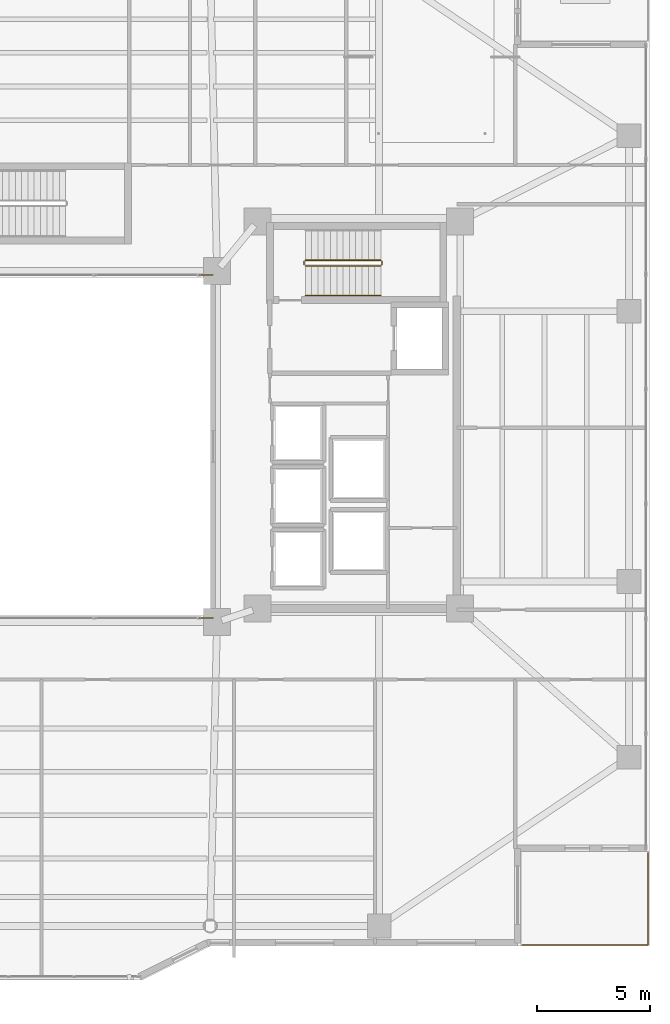
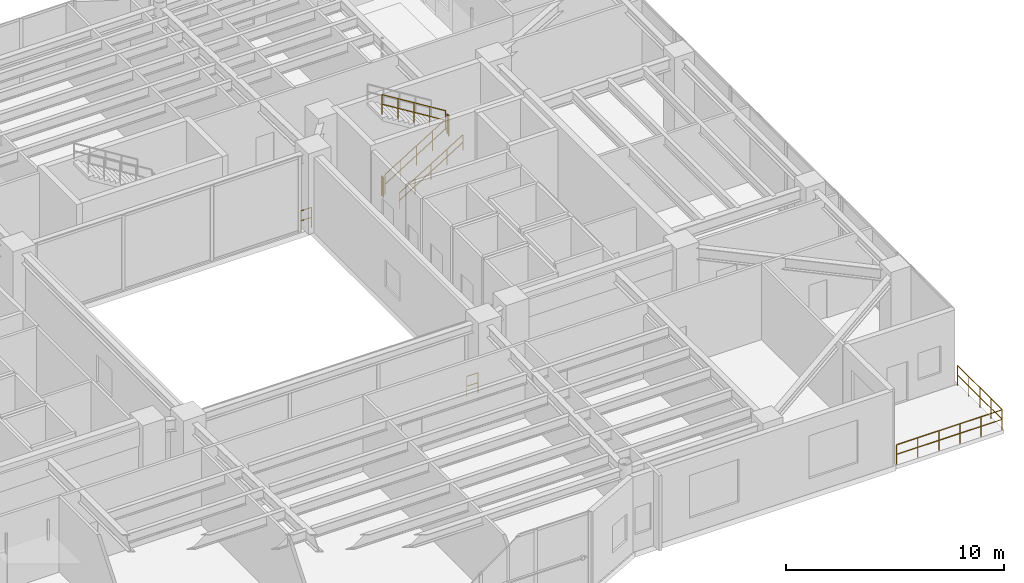
# One storey, part 36 of 38: 9 railings.
"""IFC4 building model written with IfcOpenShell, lengths in metres."""

from ifc_helpers import new_model, si_unit, direction, frame, origin, origin_2d, place, context, subcontext, project, spatial, circle, extrude, material, type_object, element, save


model = new_model("IFC4")

# Units and contexts
model_context = context("Model", 3, precision=1e-05, world=origin(), true_north=direction((0.0, 1.0)))
body_context = subcontext(model_context, "Body", "Model", "MODEL_VIEW")
ifc_project = project(units=[si_unit("LENGTHUNIT", "METRE"), si_unit("AREAUNIT", "SQUARE_METRE"), si_unit("VOLUMEUNIT", "CUBIC_METRE"), si_unit("PLANEANGLEUNIT", "RADIAN"), si_unit("MASSUNIT", "GRAM", prefix="KILO")], contexts=[model_context])

# Site, building, storey
site_placement = place(None, origin())
site = spatial("IfcSite", under=ifc_project, at=site_placement, CompositionType="ELEMENT")
building_placement = place(site_placement, origin())
building = spatial("IfcBuilding", under=site, at=building_placement, Name="Tarnavaz Court Tower", CompositionType="ELEMENT")
storey_placement = place(building_placement, frame((0.0, 0.0, 123.0)))
storey = spatial("IfcBuildingStorey", under=building, at=storey_placement, Name="L33", CompositionType="ELEMENT", Elevation=123.0)

# Railings
ifc_material_1 = material(Name="Anodised Aluminium 6063-T6 and Laminated Safety Glass", Category="aluminium")
railing_type_1 = type_object("IfcRailingType", Name="RL-BAL-1120", PredefinedType="BALUSTRADE", material=ifc_material_1)
railing_1_placement = place(storey_placement, frame((7.02001953125, -7.6201171875, 0.0)))
element("IfcRailing", 1, at=railing_1_placement, inside=storey, type_object=railing_type_1, Name="L33 Courtyard Corner Balustrade S-B", PredefinedType="BALUSTRADE", context=body_context, shape_type="SweptSolid", body=[
    extrude(circle(Radius=0.02392578125, at=origin_2d()), frame((0.0, 0.0, 1.1259765625), z_axis=(1.0, 0.0, 0.0), x_axis=(0.0, 1.0, 0.0)), (0.0, 0.0, 1.0), 0.60009765625),
    extrude(circle(Radius=0.02392578125, at=origin_2d()), frame((0.0, 0.0, 0.574951171875), z_axis=(1.0, 0.0, 0.0), x_axis=(0.0, 1.0, 0.0)), (0.0, 0.0, 1.0), 0.60009765625),
    extrude(circle(Radius=0.02099609375, at=origin_2d()), origin(), (0.0, 0.0, 1.0), 1.101806640625),
    extrude(circle(Radius=0.02099609375, at=origin_2d()), frame((0.60009765625, 0.0, 0.0)), (0.0, 0.0, 1.0), 1.101806640625),
])
railing_2_placement = place(storey_placement, frame((7.6201171875, 7.6201171875, 0.0)))
element("IfcRailing", 2, at=railing_2_placement, inside=storey, type_object=railing_type_1, Name="L33 Courtyard Corner Balustrade N-A", PredefinedType="BALUSTRADE", context=body_context, shape_type="SweptSolid", body=[
    extrude(circle(Radius=0.02392578125, at=origin_2d()), frame((0.0, 0.0, 1.1259765625), z_axis=(-1.0, 0.0, 0.0), x_axis=(0.0, -1.0, 0.0)), (0.0, 0.0, 1.0), 0.60009765625),
    extrude(circle(Radius=0.02392578125, at=origin_2d()), frame((0.0, 0.0, 0.574951171875), z_axis=(-1.0, 0.0, 0.0), x_axis=(0.0, -1.0, 0.0)), (0.0, 0.0, 1.0), 0.60009765625),
    extrude(circle(Radius=0.02099609375, at=origin_2d()), origin(), (0.0, 0.0, 1.0), 1.101806640625),
    extrude(circle(Radius=0.02099609375, at=origin_2d()), frame((-0.60009765625, 0.0, 0.0)), (0.0, 0.0, 1.0), 1.101806640625),
])
railing_3_placement = place(storey_placement, frame((21.360107421875, -22.139892578125, 0.0)))
element("IfcRailing", 3, at=railing_3_placement, inside=storey, type_object=railing_type_1, Name="L33 Terrace 3 S Perimeter Balustrade", PredefinedType="BALUSTRADE", context=body_context, shape_type="SweptSolid", body=[
    extrude(circle(Radius=0.02392578125, at=origin_2d()), frame((0.0, 0.0, 1.09619140625), z_axis=(1.0, 0.0, 0.0), x_axis=(0.0, 1.0, 0.0)), (0.0, 0.0, 1.0), 5.579833984375),
    extrude(circle(Radius=0.02392578125, at=origin_2d()), frame((0.0, 0.0, 0.56005859375), z_axis=(1.0, 0.0, 0.0), x_axis=(0.0, 1.0, 0.0)), (0.0, 0.0, 1.0), 5.579833984375),
    extrude(circle(Radius=0.02099609375, at=origin_2d()), origin(), (0.0, 0.0, 1.0), 1.072021484375),
    extrude(circle(Radius=0.02099609375, at=origin_2d()), frame((1.115966796875, 0.0, 0.0)), (0.0, 0.0, 1.0), 1.072021484375),
    extrude(circle(Radius=0.02099609375, at=origin_2d()), frame((2.23193359375, 0.0, 0.0)), (0.0, 0.0, 1.0), 1.072021484375),
    extrude(circle(Radius=0.02099609375, at=origin_2d()), frame((3.347900390625, 0.0, 0.0)), (0.0, 0.0, 1.0), 1.072021484375),
    extrude(circle(Radius=0.02099609375, at=origin_2d()), frame((4.4638671875, 0.0, 0.0)), (0.0, 0.0, 1.0), 1.072021484375),
    extrude(circle(Radius=0.02099609375, at=origin_2d()), frame((5.579833984375, 0.0, 0.0)), (0.0, 0.0, 1.0), 1.072021484375),
])
railing_4_placement = place(storey_placement, frame((26.93994140625, -22.139892578125, 0.0)))
element("IfcRailing", 4, at=railing_4_placement, inside=storey, type_object=railing_type_1, Name="L33 Terrace 3 E Perimeter Balustrade", PredefinedType="BALUSTRADE", context=body_context, shape_type="SweptSolid", body=[
    extrude(circle(Radius=0.02392578125, at=origin_2d()), frame((0.0, 0.0, 1.09619140625), z_axis=(0.0, 1.0, 0.0), x_axis=(-1.0, 0.0, 0.0)), (0.0, 0.0, 1.0), 4.079833984375),
    extrude(circle(Radius=0.02392578125, at=origin_2d()), frame((0.0, 0.0, 0.56005859375), z_axis=(0.0, 1.0, 0.0), x_axis=(-1.0, 0.0, 0.0)), (0.0, 0.0, 1.0), 4.079833984375),
    extrude(circle(Radius=0.02099609375, at=origin_2d()), origin(), (0.0, 0.0, 1.0), 1.072021484375),
    extrude(circle(Radius=0.02099609375, at=origin_2d()), frame((0.0, 1.02001953125, 0.0)), (0.0, 0.0, 1.0), 1.072021484375),
    extrude(circle(Radius=0.02099609375, at=origin_2d()), frame((0.0, 2.0400390625, 0.0)), (0.0, 0.0, 1.0), 1.072021484375),
    extrude(circle(Radius=0.02099609375, at=origin_2d()), frame((0.0, 3.059814453125, 0.0)), (0.0, 0.0, 1.0), 1.072021484375),
    extrude(circle(Radius=0.02099609375, at=origin_2d()), frame((0.0, 4.079833984375, 0.0)), (0.0, 0.0, 1.0), 1.072021484375),
])
ifc_material_2 = material(Name="Brushed Stainless Steel", Category="steel")
railing_type_2 = type_object("IfcRailingType", Name="RL-HANDRAIL-900", PredefinedType="HANDRAIL", material=ifc_material_2)
railing_5_placement = place(storey_placement, frame((11.719970703125, 6.699951171875, 0.173095703125)))
element("IfcRailing", 5, at=railing_5_placement, inside=storey, type_object=railing_type_2, Name="L33 ST-E1 stair handrail 1", PredefinedType="HANDRAIL", context=body_context, shape_type="SweptSolid", body=[
    extrude(circle(Radius=0.02392578125, at=origin_2d()), frame((0.0, 0.0, 0.8759765625), z_axis=(0.850623216509, 0.0, 0.525775754039), x_axis=(0.0, 1.0, 0.0)), (0.0, 0.0, 1.0), 3.9501953125),
    extrude(circle(Radius=0.02392578125, at=origin_2d()), frame((0.0, 0.0, 0.449951171875), z_axis=(0.850623216509, 0.0, 0.525775754039), x_axis=(0.0, 1.0, 0.0)), (0.0, 0.0, 1.0), 3.9501953125),
    extrude(circle(Radius=0.02099609375, at=origin_2d()), origin(), (0.0, 0.0, 1.0), 0.851806640625),
    extrude(circle(Radius=0.02099609375, at=origin_2d()), frame((0.840087890625, 0.0, 0.519287109375)), (0.0, 0.0, 1.0), 0.851806640625),
    extrude(circle(Radius=0.02099609375, at=origin_2d()), frame((1.68017578125, 0.0, 1.03857421875)), (0.0, 0.0, 1.0), 0.851806640625),
    extrude(circle(Radius=0.02099609375, at=origin_2d()), frame((2.52001953125, 0.0, 1.5576171875)), (0.0, 0.0, 1.0), 0.851806640625),
    extrude(circle(Radius=0.02099609375, at=origin_2d()), frame((3.360107421875, 0.0, 2.076904296875)), (0.0, 0.0, 1.0), 0.851806640625),
])
ifc_material_3 = material(Name="Galvanized Painted Tubular Steel", Category="steel")
railing_type_3 = type_object("IfcRailingType", Name="RL-STGUARD-1120", PredefinedType="GUARDRAIL", material=ifc_material_3)
railing_6_placement = place(storey_placement, frame((11.719970703125, 8.02001953125, 0.173095703125)))
element("IfcRailing", 6, at=railing_6_placement, inside=storey, type_object=railing_type_3, Name="L33 ST-E1 stair guard 1", PredefinedType="GUARDRAIL", context=body_context, shape_type="SweptSolid", body=[
    extrude(circle(Radius=0.02392578125, at=origin_2d()), frame((0.0, 0.0, 1.09619140625), z_axis=(0.850623216509, 0.0, 0.525775754039), x_axis=(0.0, 1.0, 0.0)), (0.0, 0.0, 1.0), 3.9501953125),
    extrude(circle(Radius=0.02392578125, at=origin_2d()), frame((0.0, 0.0, 0.56005859375), z_axis=(0.850623216509, 0.0, 0.525775754039), x_axis=(0.0, 1.0, 0.0)), (0.0, 0.0, 1.0), 3.9501953125),
    extrude(circle(Radius=0.02099609375, at=origin_2d()), origin(), (0.0, 0.0, 1.0), 1.072021484375),
    extrude(circle(Radius=0.02099609375, at=origin_2d()), frame((0.840087890625, 0.0, 0.519287109375)), (0.0, 0.0, 1.0), 1.072021484375),
    extrude(circle(Radius=0.02099609375, at=origin_2d()), frame((1.68017578125, 0.0, 1.03857421875)), (0.0, 0.0, 1.0), 1.072021484375),
    extrude(circle(Radius=0.02099609375, at=origin_2d()), frame((2.52001953125, 0.0, 1.5576171875)), (0.0, 0.0, 1.0), 1.072021484375),
    extrude(circle(Radius=0.02099609375, at=origin_2d()), frame((3.360107421875, 0.0, 2.076904296875)), (0.0, 0.0, 1.0), 1.072021484375),
])
railing_7_placement = place(storey_placement, frame((15.1298828125, 8.070068359375, 2.25)))
element("IfcRailing", 7, at=railing_7_placement, inside=storey, type_object=railing_type_3, Name="L33 ST-E1 stair guard 2", PredefinedType="GUARDRAIL", context=body_context, shape_type="SweptSolid", body=[
    extrude(circle(Radius=0.02392578125, at=origin_2d()), frame((0.0, 0.0, 1.09619140625), z_axis=(0.0, 1.0, 0.0), x_axis=(-1.0, 0.0, 0.0)), (0.0, 0.0, 1.0), 0.14990234375),
    extrude(circle(Radius=0.02392578125, at=origin_2d()), frame((0.0, 0.0, 0.56005859375), z_axis=(0.0, 1.0, 0.0), x_axis=(-1.0, 0.0, 0.0)), (0.0, 0.0, 1.0), 0.14990234375),
    extrude(circle(Radius=0.02099609375, at=origin_2d()), origin(), (0.0, 0.0, 1.0), 1.072021484375),
    extrude(circle(Radius=0.02099609375, at=origin_2d()), frame((0.0, 0.14990234375, 0.0)), (0.0, 0.0, 1.0), 1.072021484375),
])
railing_8_placement = place(storey_placement, frame((15.080078125, 8.27001953125, 2.423095703125)))
element("IfcRailing", 8, at=railing_8_placement, inside=storey, type_object=railing_type_3, Name="L33 ST-E1 stair guard 3", PredefinedType="GUARDRAIL", context=body_context, shape_type="SweptSolid", body=[
    extrude(circle(Radius=0.02392578125, at=origin_2d()), frame((0.0, 0.0, 1.09619140625), z_axis=(-0.850623216509, 0.0, 0.525775754039), x_axis=(0.0, -1.0, 0.0)), (0.0, 0.0, 1.0), 3.9501953125),
    extrude(circle(Radius=0.02392578125, at=origin_2d()), frame((0.0, 0.0, 0.56005859375), z_axis=(-0.850623216509, 0.0, 0.525775754039), x_axis=(0.0, -1.0, 0.0)), (0.0, 0.0, 1.0), 3.9501953125),
    extrude(circle(Radius=0.02099609375, at=origin_2d()), origin(), (0.0, 0.0, 1.0), 1.072021484375),
    extrude(circle(Radius=0.02099609375, at=origin_2d()), frame((-0.840087890625, 0.0, 0.519287109375)), (0.0, 0.0, 1.0), 1.072021484375),
    extrude(circle(Radius=0.02099609375, at=origin_2d()), frame((-1.68017578125, 0.0, 1.03857421875)), (0.0, 0.0, 1.0), 1.072021484375),
    extrude(circle(Radius=0.02099609375, at=origin_2d()), frame((-2.52001953125, 0.0, 1.5576171875)), (0.0, 0.0, 1.0), 1.072021484375),
    extrude(circle(Radius=0.02099609375, at=origin_2d()), frame((-3.360107421875, 0.0, 2.076904296875)), (0.0, 0.0, 1.0), 1.072021484375),
])
railing_9_placement = place(storey_placement, frame((11.669921875, 8.070068359375, 0.0)))
element("IfcRailing", 9, at=railing_9_placement, inside=storey, type_object=railing_type_3, Name="L33 ST-E1 stair guard 4", PredefinedType="GUARDRAIL", context=body_context, shape_type="SweptSolid", body=[
    extrude(circle(Radius=0.02392578125, at=origin_2d()), frame((0.0, 0.0, 1.09619140625), z_axis=(0.0, 1.0, 0.0), x_axis=(-1.0, 0.0, 0.0)), (0.0, 0.0, 1.0), 0.14990234375),
    extrude(circle(Radius=0.02392578125, at=origin_2d()), frame((0.0, 0.0, 0.56005859375), z_axis=(0.0, 1.0, 0.0), x_axis=(-1.0, 0.0, 0.0)), (0.0, 0.0, 1.0), 0.14990234375),
    extrude(circle(Radius=0.02099609375, at=origin_2d()), origin(), (0.0, 0.0, 1.0), 1.072021484375),
    extrude(circle(Radius=0.02099609375, at=origin_2d()), frame((0.0, 0.14990234375, 0.0)), (0.0, 0.0, 1.0), 1.072021484375),
])

save(model, "model.ifc")
